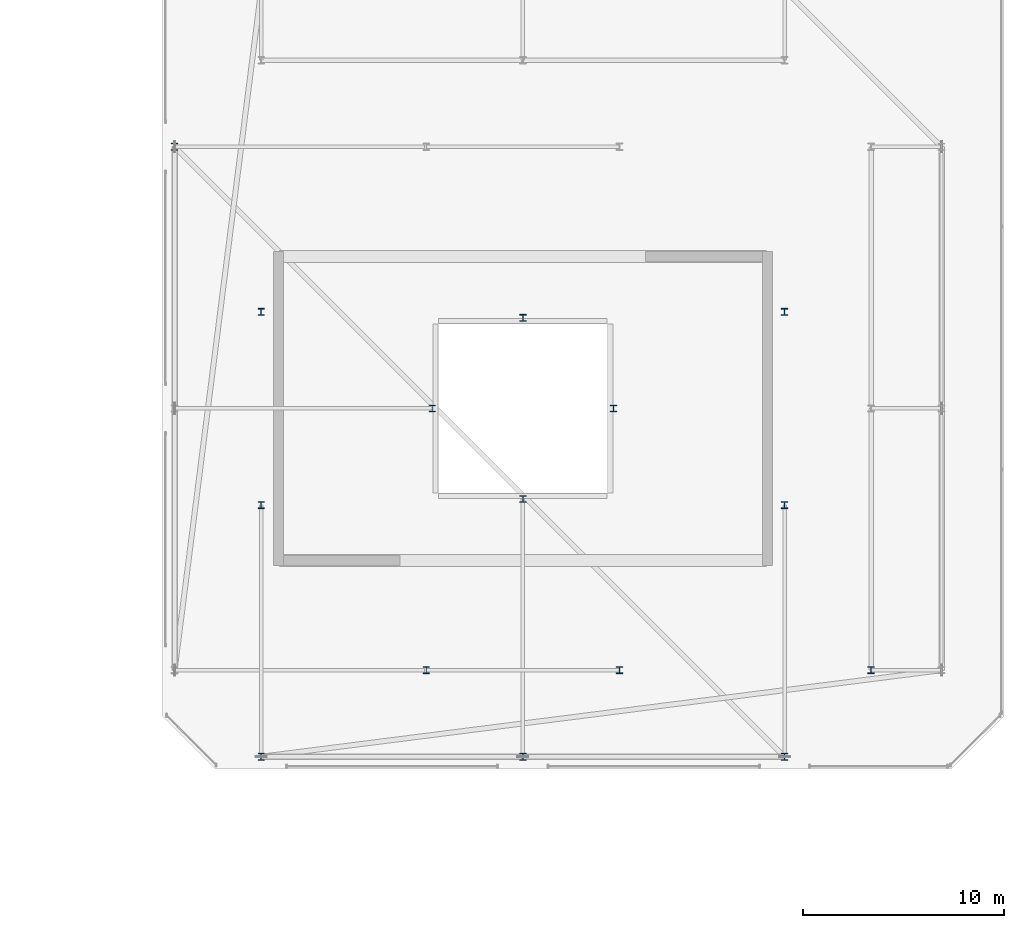
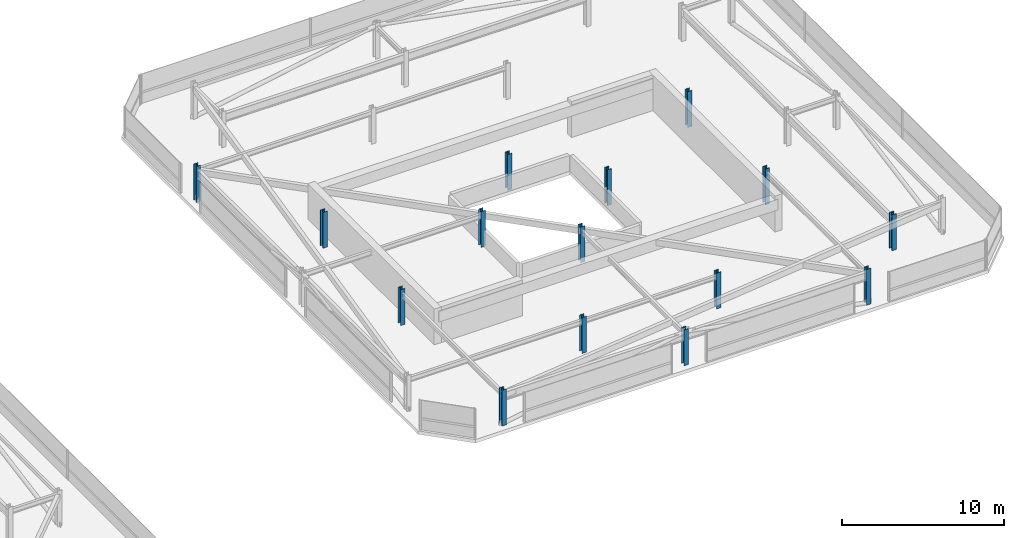
# One storey, part 4 of 42: 15 columns.
"""IFC4 building model written with IfcOpenShell, lengths in metres."""

from ifc_helpers import new_model, si_unit, direction, frame, origin, origin_2d, place, context, subcontext, project, spatial, i_section, extrude, material, material_profile, profile_set, type_object, element, save


model = new_model("IFC4")

# Units and contexts
model_context = context("Model", 3, precision=1e-05, world=origin(), true_north=direction((0.0, 1.0)))
body_context = subcontext(model_context, "Body", "Model", "MODEL_VIEW")
ifc_project = project(units=[si_unit("LENGTHUNIT", "METRE"), si_unit("AREAUNIT", "SQUARE_METRE"), si_unit("VOLUMEUNIT", "CUBIC_METRE"), si_unit("PLANEANGLEUNIT", "RADIAN"), si_unit("MASSUNIT", "GRAM", prefix="KILO")], contexts=[model_context])

# Site, building, storey
site_placement = place(None, origin())
site = spatial("IfcSite", under=ifc_project, at=site_placement, CompositionType="ELEMENT")
building_placement = place(site_placement, origin())
building = spatial("IfcBuilding", under=site, at=building_placement, Name="Thornwick Lancets Civic Towers", CompositionType="ELEMENT")
storey_placement = place(building_placement, frame((0.0, 0.0, 286.800048828125)))
storey = spatial("IfcBuildingStorey", under=building, at=storey_placement, Name="C03", CompositionType="ELEMENT", Elevation=286.800048828125)

# Columns
ifc_material = material(Name="Steel S355JR", Category="steel")
ifc_material_profile = material_profile(ifc_material, i_section(OverallWidth=0.314453125, OverallDepth=0.33984375, WebThickness=0.01904296875, FlangeThickness=0.031494140625, FilletRadius=0.01513671875, at=origin_2d()), Name="UKC 305x305x198")
ifc_profile_set = profile_set([ifc_material_profile], Name="Steel S355JR")
column_type = type_object("IfcColumnType", Name="COL_UKC_198", PredefinedType="COLUMN", material=ifc_profile_set)
for number, where, z_axis, x_axis, name in (
    (1, (105.800048828125, 14.0, 0.0), (0.0, 0.0, 1.0), (1.0, 0.0, 0.0), "C03 Spine Mega-Column B01"),
    (2, (71.199951171875, 40.0, 0.0), (0.0, 0.0, 1.0), (1.0, 0.0, 0.0), "C03 Spine Mega-Column B09"),
    (3, (101.5, 9.699951171875, 0.0), (0.0, 0.0, 1.0), (1.0, 0.0, 0.0), "C03 Spine Mega-Column B10"),
    (4, (88.5, 9.699951171875, 0.0), (0.0, 0.0, 1.0), (1.0, 0.0, 0.0), "C03 Spine Mega-Column B11"),
    (5, (75.5, 9.699951171875, 0.0), (0.0, 0.0, 1.0), (1.0, 0.0, 0.0), "C03 Spine Mega-Column B12"),
    (6, (93.300048828125, 14.0, 0.0), (0.0, 0.0, 1.0), (1.0, 0.0, 0.0), "C03 Spine Mega-Column B13"),
    (7, (83.699951171875, 14.0, 0.0), (0.0, 0.0, 1.0), (1.0, 0.0, 0.0), "C03 Spine Mega-Column B15"),
    (8, (101.5, 22.199951171875, 0.0), (0.0, 0.0, 1.0), (1.0, 0.0, 0.0), "C03 Spine Mega-Column B17"),
    (9, (101.5, 31.800048828125, 0.0), (0.0, 0.0, 1.0), (1.0, 0.0, 0.0), "C03 Spine Mega-Column B18"),
    (10, (75.5, 22.199951171875, 0.0), (0.0, 0.0, 1.0), (1.0, 0.0, 0.0), "C03 Spine Mega-Column B19"),
    (11, (75.5, 31.800048828125, 0.0), (0.0, 0.0, 1.0), (1.0, 0.0, 0.0), "C03 Spine Mega-Column B20"),
    (12, (93.0, 27.0, 0.0), (0.0, 0.0, 1.0), (1.0, 0.0, 0.0), "C03 Spine Mega-Column B21"),
    (13, (84.0, 27.0, 0.0), (0.0, 0.0, 1.0), (1.0, 0.0, 0.0), "C03 Spine Mega-Column B22"),
    (14, (88.5, 22.5, 0.0), (0.0, 0.0, 1.0), (1.0, 0.0, 0.0), "C03 Spine Mega-Column B23"),
    (15, (88.5, 31.5, 0.0), (0.0, 0.0, 1.0), (1.0, 0.0, 0.0), "C03 Spine Mega-Column B24"),
):
    element("IfcColumn", number, at=place(storey_placement, frame(where, z_axis=z_axis, x_axis=x_axis)), inside=storey, type_object=column_type, Name=name, PredefinedType="COLUMN", context=body_context, shape_type="SweptSolid", body=[
        extrude(i_section(OverallWidth=0.314453125, OverallDepth=0.33984375, WebThickness=0.01904296875, FlangeThickness=0.031494140625, FilletRadius=0.01513671875, at=origin_2d()), origin(), (0.0, 0.0, 1.0), 2.699951171875),
    ])

save(model, "model.ifc")
